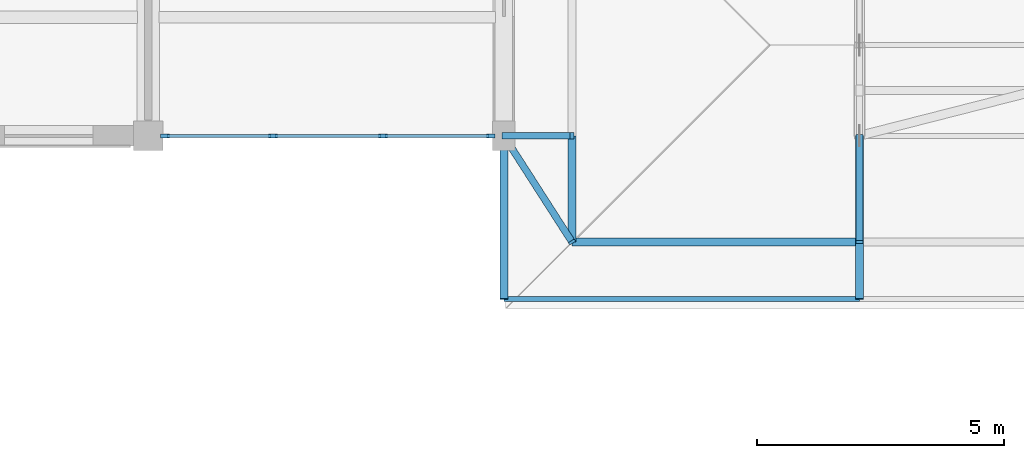
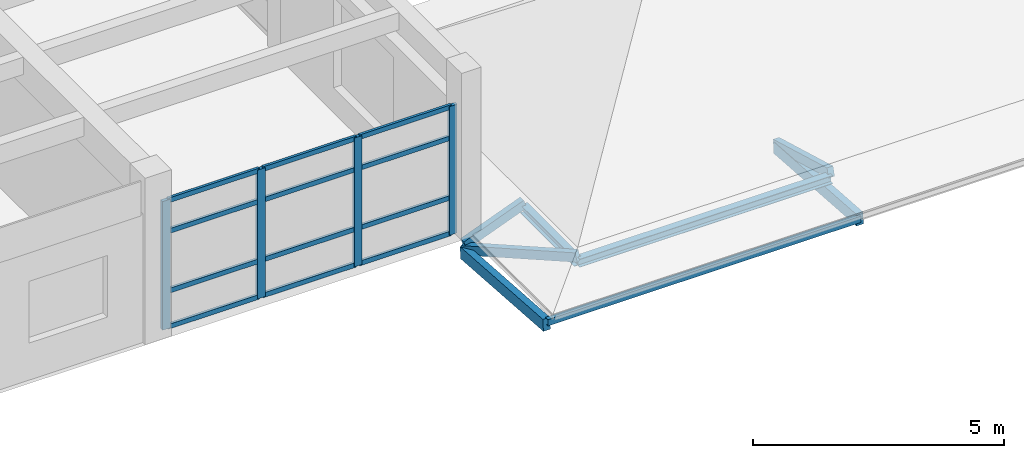
# One storey, part 7 of 100: 24 members, 1 element without a shape of its own.
"""IFC4 building model written with IfcOpenShell, lengths in metres."""

from ifc_helpers import new_model, si_unit, direction, frame, origin, origin_2d, place, context, subcontext, project, spatial, rectangle, hollow_rectangle, i_section, extrude, material, material_profile, profile_set, type_object, element, aggregate, save


model = new_model("IFC4")

# Units and contexts
model_context = context("Model", 3, precision=1e-05, world=origin(), true_north=direction((0.0, 1.0)))
body_context = subcontext(model_context, "Body", "Model", "MODEL_VIEW")
ifc_project = project(units=[si_unit("LENGTHUNIT", "METRE"), si_unit("AREAUNIT", "SQUARE_METRE"), si_unit("VOLUMEUNIT", "CUBIC_METRE"), si_unit("PLANEANGLEUNIT", "RADIAN"), si_unit("MASSUNIT", "GRAM", prefix="KILO")], contexts=[model_context])

# Site, building, storey
site_placement = place(None, origin())
site = spatial("IfcSite", under=ifc_project, at=site_placement, CompositionType="ELEMENT")
building_placement = place(site_placement, origin())
building = spatial("IfcBuilding", under=site, at=building_placement, Name="Steenspoor Specialist Clinic", CompositionType="ELEMENT")
storey_placement = place(building_placement, frame((0.0, 0.0, 9.0)))
storey = spatial("IfcBuildingStorey", under=building, at=storey_placement, Name="L02", CompositionType="ELEMENT", Elevation=9.0)

# Curtain wall, members
ifc_material_1 = material(Name="Thermally broken aluminium and low-emissivity glass", Category="aluminium")
curtain_wall_type = type_object("IfcCurtainWallType", Name="CW-L00-360X415", PredefinedType="USERDEFINED", material=ifc_material_1)
curtain_wall_placement = place(storey_placement, origin())
curtain_wall = element("IfcCurtainWall", 1, at=curtain_wall_placement, inside=storey, type_object=curtain_wall_type, Name="Unitised Curtain Wall CW-V4-L02-103", ObjectType="UNITISED GLAZING", PredefinedType="USERDEFINED")
ifc_material_2 = material(Name="Thermally broken aluminium 6063-T6", Category="aluminium")
ifc_material_profile_1 = material_profile(ifc_material_2, rectangle(XDim=0.080078125, YDim=0.179931640625, at=origin_2d()), Name="CWM-80X180")
ifc_profile_set_1 = profile_set([ifc_material_profile_1], Name="Thermally broken aluminium 6063-T6")
member_type_1 = type_object("IfcMemberType", Name="CW-MULL-80X180", PredefinedType="MULLION", material=ifc_profile_set_1)
member_1_placement = place(storey_placement, frame((66.534912109375, 65.14990234375, 0.0), z_axis=(0.0, 0.0, 1.0), x_axis=(0.0, -1.0, 0.0)))
member_1 = element("IfcMember", 2, at=member_1_placement, type_object=member_type_1, Name="CW-07 mullion 1", PredefinedType="MULLION", context=body_context, shape_type="SweptSolid", body=[
    extrude(rectangle(XDim=0.080078125, YDim=0.179931640625, at=origin_2d()), origin(), (0.0, 0.0, 1.0), 3.1298828125),
])
member_2_placement = place(storey_placement, frame((64.35009765625, 65.14990234375, 0.0), z_axis=(0.0, 0.0, 1.0), x_axis=(0.0, -1.0, 0.0)))
member_2 = element("IfcMember", 3, at=member_2_placement, type_object=member_type_1, Name="CW-07 mullion 2", PredefinedType="MULLION", context=body_context, shape_type="SweptSolid", body=[
    extrude(rectangle(XDim=0.080078125, YDim=0.179931640625, at=origin_2d()), origin(), (0.0, 0.0, 1.0), 3.1298828125),
])
member_3_placement = place(storey_placement, frame((62.125, 65.14990234375, 0.0), z_axis=(0.0, 0.0, 1.0), x_axis=(0.0, -1.0, 0.0)))
member_3 = element("IfcMember", 4, at=member_3_placement, type_object=member_type_1, Name="CW-07 mullion 3", PredefinedType="MULLION", context=body_context, shape_type="SweptSolid", body=[
    extrude(rectangle(XDim=0.080078125, YDim=0.179931640625, at=origin_2d()), origin(), (0.0, 0.0, 1.0), 3.1298828125),
])
member_4_placement = place(storey_placement, frame((59.93994140625, 65.14990234375, 0.0), z_axis=(0.0, 0.0, 1.0), x_axis=(0.0, -1.0, 0.0)))
member_4 = element("IfcMember", 5, at=member_4_placement, type_object=member_type_1, Name="CW-07 mullion 4", PredefinedType="MULLION", context=body_context, shape_type="SweptSolid", body=[
    extrude(rectangle(XDim=0.080078125, YDim=0.179931640625, at=origin_2d()), origin(), (0.0, 0.0, 1.0), 3.1298828125),
])
ifc_material_profile_2 = material_profile(ifc_material_2, rectangle(XDim=0.06005859375, YDim=0.114990234375, at=origin_2d()), Name="CWT-60X115")
ifc_profile_set_2 = profile_set([ifc_material_profile_2], Name="Thermally broken aluminium 6063-T6")
member_type_2 = type_object("IfcMemberType", Name="CW-TRAN-60X115", PredefinedType="USERDEFINED", material=ifc_profile_set_2)
member_5_placement = place(storey_placement, frame((66.4951171875, 65.14990234375, 0.030029296875), z_axis=(-1.0, 0.0, 0.0), x_axis=(0.0, -1.0, 0.0)))
member_5 = element("IfcMember", 6, at=member_5_placement, type_object=member_type_2, Name="CW-07 transom 1.1", ObjectType="TRANSOM", PredefinedType="USERDEFINED", context=body_context, shape_type="SweptSolid", body=[
    extrude(rectangle(XDim=0.06005859375, YDim=0.114990234375, at=origin_2d()), origin(), (0.0, 0.0, 1.0), 2.105224609375),
])
member_6_placement = place(storey_placement, frame((66.4951171875, 65.14990234375, 0.89990234375), z_axis=(-1.0, 0.0, 0.0), x_axis=(0.0, -1.0, 0.0)))
member_6 = element("IfcMember", 7, at=member_6_placement, type_object=member_type_2, Name="CW-07 transom 1.2", ObjectType="TRANSOM", PredefinedType="USERDEFINED", context=body_context, shape_type="SweptSolid", body=[
    extrude(rectangle(XDim=0.06005859375, YDim=0.114990234375, at=origin_2d()), origin(), (0.0, 0.0, 1.0), 2.105224609375),
])
member_7_placement = place(storey_placement, frame((66.4951171875, 65.14990234375, 2.35009765625), z_axis=(-1.0, 0.0, 0.0), x_axis=(0.0, -1.0, 0.0)))
member_7 = element("IfcMember", 8, at=member_7_placement, type_object=member_type_2, Name="CW-07 transom 1.3", ObjectType="TRANSOM", PredefinedType="USERDEFINED", context=body_context, shape_type="SweptSolid", body=[
    extrude(rectangle(XDim=0.06005859375, YDim=0.114990234375, at=origin_2d()), origin(), (0.0, 0.0, 1.0), 2.105224609375),
])
member_8_placement = place(storey_placement, frame((66.4951171875, 65.14990234375, 3.10009765625), z_axis=(-1.0, 0.0, 0.0), x_axis=(0.0, -1.0, 0.0)))
member_8 = element("IfcMember", 9, at=member_8_placement, type_object=member_type_2, Name="CW-07 transom 1.4", ObjectType="TRANSOM", PredefinedType="USERDEFINED", context=body_context, shape_type="SweptSolid", body=[
    extrude(rectangle(XDim=0.06005859375, YDim=0.114990234375, at=origin_2d()), origin(), (0.0, 0.0, 1.0), 2.105224609375),
])
member_9_placement = place(storey_placement, frame((64.31005859375, 65.14990234375, 0.030029296875), z_axis=(-1.0, 0.0, 0.0), x_axis=(0.0, -1.0, 0.0)))
member_9 = element("IfcMember", 10, at=member_9_placement, type_object=member_type_2, Name="CW-07 transom 2.1", ObjectType="TRANSOM", PredefinedType="USERDEFINED", context=body_context, shape_type="SweptSolid", body=[
    extrude(rectangle(XDim=0.06005859375, YDim=0.114990234375, at=origin_2d()), origin(), (0.0, 0.0, 1.0), 2.14501953125),
])
member_10_placement = place(storey_placement, frame((64.31005859375, 65.14990234375, 0.89990234375), z_axis=(-1.0, 0.0, 0.0), x_axis=(0.0, -1.0, 0.0)))
member_10 = element("IfcMember", 11, at=member_10_placement, type_object=member_type_2, Name="CW-07 transom 2.2", ObjectType="TRANSOM", PredefinedType="USERDEFINED", context=body_context, shape_type="SweptSolid", body=[
    extrude(rectangle(XDim=0.06005859375, YDim=0.114990234375, at=origin_2d()), origin(), (0.0, 0.0, 1.0), 2.14501953125),
])
member_11_placement = place(storey_placement, frame((64.31005859375, 65.14990234375, 2.35009765625), z_axis=(-1.0, 0.0, 0.0), x_axis=(0.0, -1.0, 0.0)))
member_11 = element("IfcMember", 12, at=member_11_placement, type_object=member_type_2, Name="CW-07 transom 2.3", ObjectType="TRANSOM", PredefinedType="USERDEFINED", context=body_context, shape_type="SweptSolid", body=[
    extrude(rectangle(XDim=0.06005859375, YDim=0.114990234375, at=origin_2d()), origin(), (0.0, 0.0, 1.0), 2.14501953125),
])
member_12_placement = place(storey_placement, frame((64.31005859375, 65.14990234375, 3.10009765625), z_axis=(-1.0, 0.0, 0.0), x_axis=(0.0, -1.0, 0.0)))
member_12 = element("IfcMember", 13, at=member_12_placement, type_object=member_type_2, Name="CW-07 transom 2.4", ObjectType="TRANSOM", PredefinedType="USERDEFINED", context=body_context, shape_type="SweptSolid", body=[
    extrude(rectangle(XDim=0.06005859375, YDim=0.114990234375, at=origin_2d()), origin(), (0.0, 0.0, 1.0), 2.14501953125),
])
member_13_placement = place(storey_placement, frame((62.0849609375, 65.14990234375, 0.030029296875), z_axis=(-1.0, 0.0, 0.0), x_axis=(0.0, -1.0, 0.0)))
member_13 = element("IfcMember", 14, at=member_13_placement, type_object=member_type_2, Name="CW-07 transom 3.1", ObjectType="TRANSOM", PredefinedType="USERDEFINED", context=body_context, shape_type="SweptSolid", body=[
    extrude(rectangle(XDim=0.06005859375, YDim=0.114990234375, at=origin_2d()), origin(), (0.0, 0.0, 1.0), 2.10498046875),
])
member_14_placement = place(storey_placement, frame((62.0849609375, 65.14990234375, 0.89990234375), z_axis=(-1.0, 0.0, 0.0), x_axis=(0.0, -1.0, 0.0)))
member_14 = element("IfcMember", 15, at=member_14_placement, type_object=member_type_2, Name="CW-07 transom 3.2", ObjectType="TRANSOM", PredefinedType="USERDEFINED", context=body_context, shape_type="SweptSolid", body=[
    extrude(rectangle(XDim=0.06005859375, YDim=0.114990234375, at=origin_2d()), origin(), (0.0, 0.0, 1.0), 2.10498046875),
])
member_15_placement = place(storey_placement, frame((62.0849609375, 65.14990234375, 2.35009765625), z_axis=(-1.0, 0.0, 0.0), x_axis=(0.0, -1.0, 0.0)))
member_15 = element("IfcMember", 16, at=member_15_placement, type_object=member_type_2, Name="CW-07 transom 3.3", ObjectType="TRANSOM", PredefinedType="USERDEFINED", context=body_context, shape_type="SweptSolid", body=[
    extrude(rectangle(XDim=0.06005859375, YDim=0.114990234375, at=origin_2d()), origin(), (0.0, 0.0, 1.0), 2.10498046875),
])
member_16_placement = place(storey_placement, frame((62.0849609375, 65.14990234375, 3.10009765625), z_axis=(-1.0, 0.0, 0.0), x_axis=(0.0, -1.0, 0.0)))
member_16 = element("IfcMember", 17, at=member_16_placement, type_object=member_type_2, Name="CW-07 transom 3.4", ObjectType="TRANSOM", PredefinedType="USERDEFINED", context=body_context, shape_type="SweptSolid", body=[
    extrude(rectangle(XDim=0.06005859375, YDim=0.114990234375, at=origin_2d()), origin(), (0.0, 0.0, 1.0), 2.10498046875),
])
aggregate(curtain_wall, [member_1, member_2, member_3, member_4, member_5, member_6, member_7, member_8, member_9, member_10, member_11, member_12, member_13, member_14, member_15, member_16])

# Members
ifc_material_3 = material(Name="Steel A500 Grade C", Category="steel")
ifc_material_profile_3 = material_profile(ifc_material_3, hollow_rectangle(XDim=0.1015625, YDim=0.15234375, WallThickness=0.005859375, at=origin_2d()), Name="HSS152X102X6.4")
ifc_profile_set_3 = profile_set([ifc_material_profile_3], Name="Steel A500 Grade C")
member_type_3 = type_object("IfcMemberType", Name="MEM-PURLIN-H152", PredefinedType="PURLIN", material=ifc_profile_set_3)
member_17_placement = place(storey_placement, frame((66.800048828125, 61.85009765625, -0.243408203125), z_axis=(1.0, 0.0, 0.0), x_axis=(0.0, 1.0, 0.0)))
element("IfcMember", 18, at=member_17_placement, inside=storey, type_object=member_type_3, Name="ROOF TRUSS Eave Fascia 195", PredefinedType="PURLIN", context=body_context, shape_type="SweptSolid", body=[
    extrude(hollow_rectangle(XDim=0.1015625, YDim=0.15234375, WallThickness=0.005859375, at=origin_2d()), origin(), (0.0, 0.0, 1.0), 7.199951171875),
])
ifc_material_4 = material(Name="Steel A992 Grade 50", Category="steel")
ifc_material_profile_4 = material_profile(ifc_material_4, i_section(OverallWidth=0.1650390625, OverallDepth=0.200927734375, WebThickness=0.006103515625, FlangeThickness=0.01025390625, at=origin_2d()), Name="W200X36")
ifc_profile_set_4 = profile_set([ifc_material_profile_4], Name="Steel A992 Grade 50")
member_type_4 = type_object("IfcMemberType", Name="MEM-PURLIN-W200", PredefinedType="PURLIN", material=ifc_profile_set_4)
member_18_placement = place(storey_placement, frame((68.179931640625, 63.0, 0.0439453125), z_axis=(1.0, 0.0, 0.0), x_axis=(0.0, 1.0, 0.0)))
element("IfcMember", 19, at=member_18_placement, inside=storey, type_object=member_type_4, Name="ROOF TRUSS Knuckle Purlin 200", PredefinedType="PURLIN", context=body_context, shape_type="SweptSolid", body=[
    extrude(i_section(OverallWidth=0.1650390625, OverallDepth=0.200927734375, WebThickness=0.006103515625, FlangeThickness=0.01025390625, at=origin_2d()), origin(), (0.0, 0.0, 1.0), 5.820068359375),
])
member_19_placement = place(storey_placement, frame((68.179931640625, 63.0, 0.0439453125), z_axis=(0.0, 1.0, 0.0), x_axis=(-1.0, 0.0, 0.0)))
element("IfcMember", 20, at=member_19_placement, inside=storey, type_object=member_type_4, Name="ROOF TRUSS Knuckle Purlin 210", PredefinedType="PURLIN", context=body_context, shape_type="SweptSolid", body=[
    extrude(i_section(OverallWidth=0.1650390625, OverallDepth=0.200927734375, WebThickness=0.006103515625, FlangeThickness=0.01025390625, at=origin_2d()), origin(), (0.0, 0.0, 1.0), 2.14990234375),
])
ifc_material_5 = material(Name="Glulam GL28h", Category="wood")
ifc_material_profile_5 = material_profile(ifc_material_5, rectangle(XDim=0.139892578125, YDim=0.219970703125, at=origin_2d()), Name="GL28H-140X220")
ifc_profile_set_5 = profile_set([ifc_material_profile_5], Name="Glulam GL28h")
member_type_5 = type_object("IfcMemberType", Name="MEM-RAFTER-GL220", PredefinedType="RAFTER", material=ifc_profile_set_5)
member_20_placement = place(storey_placement, frame((74.0, 65.14990234375, -0.42919921875), z_axis=(0.0, -0.962527985717, 0.271182367995), x_axis=(1.0, 0.0, 0.0)))
element("IfcMember", 21, at=member_20_placement, inside=storey, type_object=member_type_5, Name="ROOF TRUSS Knuckle Rafter V4T1 117", PredefinedType="RAFTER", context=body_context, shape_type="SweptSolid", body=[
    extrude(rectangle(XDim=0.139892578125, YDim=0.219970703125, at=origin_2d()), origin(), (0.0, 0.0, 1.0), 2.233642578125),
])
member_21_placement = place(storey_placement, frame((66.800048828125, 65.14990234375, -0.356201171875), z_axis=(0.932893944911, 0.0, 0.360151200955), x_axis=(0.0, 1.0, 0.0)))
element("IfcMember", 22, at=member_21_placement, inside=storey, type_object=member_type_5, Name="ROOF TRUSS Knuckle Rafter V4T1 129", PredefinedType="RAFTER", context=body_context, shape_type="SweptSolid", body=[
    extrude(rectangle(XDim=0.139892578125, YDim=0.219970703125, at=origin_2d()), origin(), (0.0, 0.0, 1.0), 1.479248046875),
])
member_22_placement = place(storey_placement, frame((66.800048828125, 65.14990234375, -0.467041015625), z_axis=(0.523784303501, -0.816072996573, 0.244284399156), x_axis=(0.841569496422, 0.540148852348, 0.0)))
element("IfcMember", 23, at=member_22_placement, inside=storey, type_object=member_type_5, Name="ROOF TRUSS Corner Knuckle Rafter V4T1 131", PredefinedType="RAFTER", context=body_context, shape_type="SweptSolid", body=[
    extrude(rectangle(XDim=0.139892578125, YDim=0.219970703125, at=origin_2d()), origin(), (0.0, 0.0, 1.0), 2.634521484375),
])
ifc_material_profile_6 = material_profile(ifc_material_5, rectangle(XDim=0.159912109375, YDim=0.280029296875, at=origin_2d()), Name="GL28H-160X280")
ifc_profile_set_6 = profile_set([ifc_material_profile_6], Name="Glulam GL28h")
member_type_6 = type_object("IfcMemberType", Name="MEM-RAFTER-GL280", PredefinedType="RAFTER", material=ifc_profile_set_6)
for number, where, z_axis, x_axis, name in (
    (24, (66.800048828125, 65.14990234375, -0.5400390625), (0.0, -0.997518288162, 0.070407846027), (1.0, 0.0, 0.0), "ROOF TRUSS Flared Eave Glulam Outrigger V4T1 115"),
    (25, (74.0, 65.14990234375, -0.5), (0.0, -0.997518288162, 0.070407846027), (1.0, 0.0, 0.0), "ROOF TRUSS Flared Eave Glulam Outrigger V4T1 116"),
):
    element("IfcMember", number, at=place(storey_placement, frame(where, z_axis=z_axis, x_axis=x_axis)), inside=storey, type_object=member_type_6, Name=name, PredefinedType="RAFTER", context=body_context, shape_type="SweptSolid", body=[
        extrude(rectangle(XDim=0.159912109375, YDim=0.280029296875, at=origin_2d()), origin(), (0.0, 0.0, 1.0), 3.30810546875),
    ])

save(model, "model.ifc")
